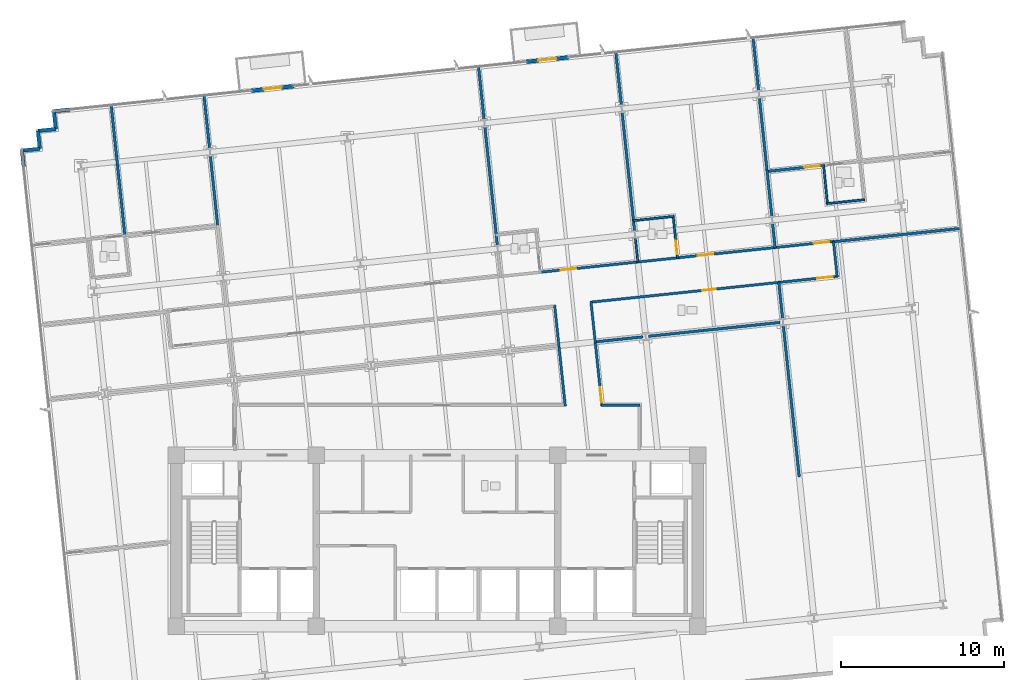
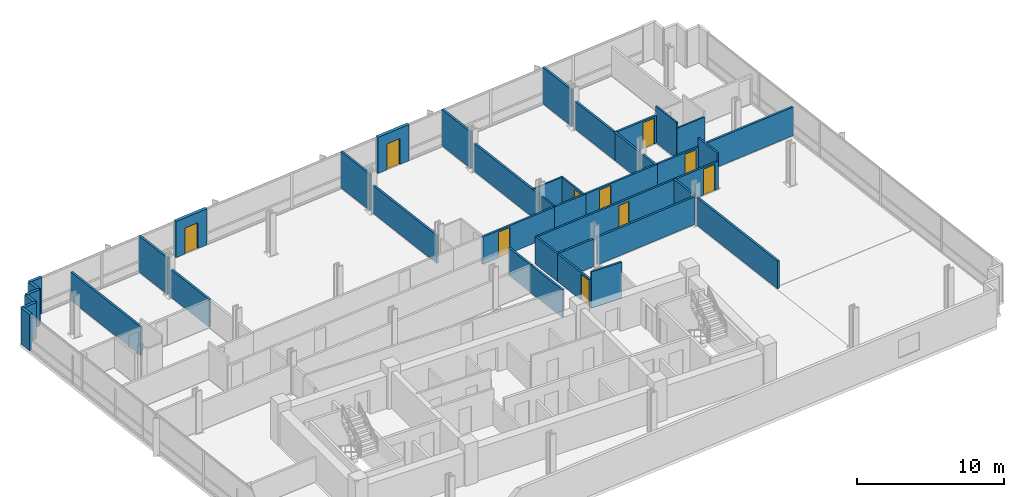
# One storey, part 12 of 18: 42 walls, 10 doors, 10 openings.
"""IFC4 building model written with IfcOpenShell, lengths in metres."""

from ifc_helpers import new_model, si_unit, direction, frame, frame_2d, origin, place, context, subcontext, project, spatial, rectangle, extrude, material, layer, layer_set, type_object, element, fill, save


model = new_model("IFC4")

# Units and contexts
model_context = context("Model", 3, precision=1e-05, world=origin(), true_north=direction((0.0, 1.0)))
body_context = subcontext(model_context, "Body", "Model", "MODEL_VIEW")
ifc_project = project(units=[si_unit("LENGTHUNIT", "METRE"), si_unit("AREAUNIT", "SQUARE_METRE"), si_unit("VOLUMEUNIT", "CUBIC_METRE"), si_unit("PLANEANGLEUNIT", "RADIAN"), si_unit("MASSUNIT", "GRAM", prefix="KILO")], contexts=[model_context])

# Site, building, storey
site_placement = place(None, origin())
site = spatial("IfcSite", under=ifc_project, at=site_placement, CompositionType="ELEMENT")
building_placement = place(site_placement, origin())
building = spatial("IfcBuilding", under=site, at=building_placement, Name="Solmavex Isthmus Hotel", CompositionType="ELEMENT")
storey_placement = place(building_placement, frame((0.0, 0.0, 127.050048828125)))
storey = spatial("IfcBuildingStorey", under=building, at=storey_placement, Name="L34", CompositionType="ELEMENT", Elevation=127.050048828125)

# Wall, opening, door
ifc_material_1 = material(Name="Precast Concrete C40/50", Category="concrete")
ifc_layer_1 = layer(ifc_material_1, 0.25)
ifc_layer_set_1 = layer_set([ifc_layer_1], Name="Precast Concrete C40/50")
wall_type_1 = type_object("IfcWallType", Name="EW-TWR-250", PredefinedType="STANDARD", material=ifc_layer_set_1)
wall_1_placement = place(storey_placement, frame((-11.374267578125, 19.859130859375, 0.0), z_axis=(0.0, 0.0, 1.0), x_axis=(0.994524472508, 0.104503940512, 0.0)))
wall_1 = element("IfcWall", 1, at=wall_1_placement, inside=storey, type_object=wall_type_1, Name="Exterior Balcony Door Wall L34-2", PredefinedType="STANDARD", context=body_context, shape_type="SweptSolid", body=[
    extrude(rectangle(XDim=2.60009765625, YDim=0.239990234375, at=frame_2d((1.300048828125, 0.0))), origin(), (0.0, 0.0, 1.0), 3.0),
])
opening_1_placement = place(wall_1_placement, frame((0.75, 0.0, 0.0)))
opening_1 = element("IfcOpeningElement", 2, at=opening_1_placement, cuts=wall_1, Name="Opening ED-02", PredefinedType="OPENING", context=body_context, shape_type="SweptSolid", body=[
    extrude(rectangle(XDim=1.10009765625, YDim=2.14990234375, at=frame_2d((0.550048828125, 1.074951171875))), frame((0.0, 0.1298828125, 0.0), z_axis=(0.0, -1.0, 0.0), x_axis=(1.0, 0.0, 0.0)), (0.0, 0.0, 1.0), 0.260009765625),
])
ifc_material_2 = material(Name="Aluminium alloy 6063-T6", Category="aluminium")
door_type_1 = type_object("IfcDoorType", Name="EDR-BALC-1100", OperationType="NOTDEFINED", PredefinedType="DOOR", material=ifc_material_2)
door_1_placement = place(opening_1_placement, origin())
door_1 = element("IfcDoor", 3, at=door_1_placement, inside=storey, type_object=door_type_1, Name="Balcony & Terrace Glazed Door L34-2", OperationType="SINGLE_SWING_RIGHT", OverallHeight=2.14990234375, OverallWidth=1.10009765625, PredefinedType="DOOR", context=body_context, shape_type="SweptSolid", body=[
    extrude(rectangle(XDim=1.10009765625, YDim=2.14990234375, at=frame_2d((0.550048828125, 1.074951171875))), frame((0.0, 0.02490234375, 0.0), z_axis=(0.0, -1.0, 0.0), x_axis=(1.0, 0.0, 0.0)), (0.0, 0.0, 1.0), 0.050048828125),
])
fill(opening_1, door_1)

wall_2_placement = place(storey_placement, frame((5.465087890625, 21.629150390625, 0.0), z_axis=(0.0, 0.0, 1.0), x_axis=(0.994523446942, 0.104513699976, 0.0)))
wall_2 = element("IfcWall", 4, at=wall_2_placement, inside=storey, type_object=wall_type_1, Name="Exterior Balcony Door Wall L34-3", PredefinedType="STANDARD", context=body_context, shape_type="SweptSolid", body=[
    extrude(rectangle(XDim=2.599853515625, YDim=0.239990234375, at=frame_2d((1.2998046875, 0.0))), origin(), (0.0, 0.0, 1.0), 3.0),
])
opening_2_placement = place(wall_2_placement, frame((0.75, 0.0, 0.0)))
opening_2 = element("IfcOpeningElement", 5, at=opening_2_placement, cuts=wall_2, Name="Opening ED-02", PredefinedType="OPENING", context=body_context, shape_type="SweptSolid", body=[
    extrude(rectangle(XDim=1.10009765625, YDim=2.14990234375, at=frame_2d((0.550048828125, 1.074951171875))), frame((0.0, 0.1298828125, 0.0), z_axis=(0.0, -1.0, 0.0), x_axis=(1.0, 0.0, 0.0)), (0.0, 0.0, 1.0), 0.260009765625),
])
door_2_placement = place(opening_2_placement, origin())
door_2 = element("IfcDoor", 6, at=door_2_placement, inside=storey, type_object=door_type_1, Name="Balcony & Terrace Glazed Door L34-3", OperationType="SINGLE_SWING_LEFT", OverallHeight=2.14990234375, OverallWidth=1.10009765625, PredefinedType="DOOR", context=body_context, shape_type="SweptSolid", body=[
    extrude(rectangle(XDim=1.10009765625, YDim=2.14990234375, at=frame_2d((0.550048828125, 1.074951171875))), frame((0.0, 0.02490234375, 0.0), z_axis=(0.0, -1.0, 0.0), x_axis=(1.0, 0.0, 0.0)), (0.0, 0.0, 1.0), 0.050048828125),
])
fill(opening_2, door_2)

# Walls
wall_3_placement = place(storey_placement, frame((-25.35400390625, 15.1923828125, 0.0), z_axis=(0.0, 0.0, 1.0), x_axis=(-0.104556418955, 0.99451895671, 0.0)))
element("IfcWall", 7, at=wall_3_placement, inside=storey, type_object=wall_type_1, Name="Serrated Corner Facade Panel L34-07", PredefinedType="STANDARD", context=body_context, shape_type="SweptSolid", body=[
    extrude(rectangle(XDim=0.989990234375, YDim=0.219970703125, at=frame_2d((0.4951171875, 0.0))), origin(), (0.0, 0.0, 1.0), 3.0),
])
wall_4_placement = place(storey_placement, frame((-25.45751953125, 16.177001953125, 0.0), z_axis=(0.0, 0.0, 1.0), x_axis=(0.994521251134, 0.104534592565, 0.0)))
element("IfcWall", 8, at=wall_4_placement, inside=storey, type_object=wall_type_1, Name="Serrated Corner Facade Panel L34-08", PredefinedType="STANDARD", context=body_context, shape_type="SweptSolid", body=[
    extrude(rectangle(XDim=1.10009765625, YDim=0.219970703125, at=frame_2d((0.550048828125, 0.0))), origin(), (0.0, 0.0, 1.0), 3.0),
])
wall_5_placement = place(storey_placement, frame((-24.363525390625, 16.2919921875, 0.0), z_axis=(0.0, 0.0, 1.0), x_axis=(-0.104557671117, 0.994518825066, 0.0)))
element("IfcWall", 9, at=wall_5_placement, inside=storey, type_object=wall_type_1, Name="Serrated Corner Facade Panel L34-09", PredefinedType="STANDARD", context=body_context, shape_type="SweptSolid", body=[
    extrude(rectangle(XDim=1.099853515625, YDim=0.219970703125, at=frame_2d((0.5498046875, 0.0))), origin(), (0.0, 0.0, 1.0), 3.0),
])
for number, where, z_axis, x_axis, name in (
    (10, (-24.478515625, 17.3857421875, 0.0), (0.0, 0.0, 1.0), (0.994521251134, 0.104534592565, 0.0), "Serrated Corner Facade Panel L34-10"),
    (11, (-23.384521484375, 17.500732421875, 0.0), (0.0, 0.0, 1.0), (-0.104534592565, 0.994521251134, 0.0), "Serrated Corner Facade Panel L34-11"),
):
    element("IfcWall", number, at=place(storey_placement, frame(where, z_axis=z_axis, x_axis=x_axis)), inside=storey, type_object=wall_type_1, Name=name, PredefinedType="STANDARD", context=body_context, shape_type="SweptSolid", body=[
        extrude(rectangle(XDim=1.10009765625, YDim=0.219970703125, at=frame_2d((0.550048828125, 0.0))), origin(), (0.0, 0.0, 1.0), 3.0),
    ])
wall_6_placement = place(storey_placement, frame((-23.49951171875, 18.5947265625, 0.0), z_axis=(0.0, 0.0, 1.0), x_axis=(0.99451895671, 0.104556418955, 0.0)))
element("IfcWall", 12, at=wall_6_placement, inside=storey, type_object=wall_type_1, Name="Serrated Corner Facade Panel L34-12", PredefinedType="STANDARD", context=body_context, shape_type="SweptSolid", body=[
    extrude(rectangle(XDim=0.989990234375, YDim=0.219970703125, at=frame_2d((0.4951171875, 0.0))), origin(), (0.0, 0.0, 1.0), 3.0),
])
ifc_material_3 = material(Name="Gypsum plasterboard lining", Category="gypsum")
ifc_layer_2 = layer(ifc_material_3, 0.159912109375)
ifc_layer_set_2 = layer_set([ifc_layer_2], Name="Gypsum plasterboard lining")
wall_type_2 = type_object("IfcWallType", Name="IW-COMP-160", PredefinedType="PARTITIONING", material=ifc_layer_set_2)
wall_7_placement = place(storey_placement, frame((-19.988037109375, 18.994140625, 0.0), z_axis=(0.0, 0.0, 1.0), x_axis=(0.10452341909, -0.99452242552, 0.0)))
element("IfcWall", 13, at=wall_7_placement, inside=storey, type_object=wall_type_2, Name="Interior Partition Wall W-L34-P030", PredefinedType="PARTITIONING", context=body_context, shape_type="SweptSolid", body=[
    extrude(rectangle(XDim=8.112060546875, YDim=0.159912109375, at=frame_2d((4.05615234375, 0.0))), origin(), (0.0, 0.0, 1.0), 2.363037109375),
])
wall_8_placement = place(storey_placement, frame((-14.29541015625, 19.59228515625, 0.0), z_axis=(0.0, 0.0, 1.0), x_axis=(0.10455555946, -0.99451904707, 0.0)))
element("IfcWall", 14, at=wall_8_placement, inside=storey, type_object=wall_type_2, Name="Interior Partition Wall W-L34-P032", PredefinedType="PARTITIONING", context=body_context, shape_type="SweptSolid", body=[
    extrude(rectangle(XDim=3.34375, YDim=0.159912109375, at=frame_2d((1.671875, 0.0))), origin(), (0.0, 0.0, 1.0), 3.0),
])
wall_9_placement = place(storey_placement, frame((-13.908935546875, 15.91650390625, 0.0), z_axis=(0.0, 0.0, 1.0), x_axis=(0.104494833314, -0.994525429444, 0.0)))
element("IfcWall", 15, at=wall_9_placement, inside=storey, type_object=wall_type_2, Name="Interior Partition Wall W-L34-P033", PredefinedType="PARTITIONING", context=body_context, shape_type="SweptSolid", body=[
    extrude(rectangle(XDim=4.415771484375, YDim=0.159912109375, at=frame_2d((2.2080078125, 0.0))), origin(), (0.0, 0.0, 1.0), 2.28955078125),
])
wall_10_placement = place(storey_placement, frame((2.5439453125, 21.3623046875, 0.0), z_axis=(0.0, 0.0, 1.0), x_axis=(0.10455555946, -0.99451904707, 0.0)))
element("IfcWall", 16, at=wall_10_placement, inside=storey, type_object=wall_type_2, Name="Interior Partition Wall W-L34-P034", PredefinedType="PARTITIONING", context=body_context, shape_type="SweptSolid", body=[
    extrude(rectangle(XDim=3.34375, YDim=0.159912109375, at=frame_2d((1.671875, 0.0))), origin(), (0.0, 0.0, 1.0), 3.0),
])
wall_11_placement = place(storey_placement, frame((2.93017578125, 17.686279296875, 0.0), z_axis=(0.0, 0.0, 1.0), x_axis=(0.104555973927, -0.994519003497, 0.0)))
element("IfcWall", 17, at=wall_11_placement, inside=storey, type_object=wall_type_2, Name="Interior Partition Wall W-L34-P035", PredefinedType="PARTITIONING", context=body_context, shape_type="SweptSolid", body=[
    extrude(rectangle(XDim=7.399658203125, YDim=0.159912109375, at=frame_2d((3.69970703125, 0.0))), origin(), (0.0, 0.0, 1.0), 2.28955078125),
])
wall_12_placement = place(storey_placement, frame((10.963623046875, 22.2470703125, 0.0), z_axis=(0.0, 0.0, 1.0), x_axis=(0.10448334315, -0.994526636649, 0.0)))
element("IfcWall", 18, at=wall_12_placement, inside=storey, type_object=wall_type_2, Name="Interior Partition Wall W-L34-P039", PredefinedType="PARTITIONING", context=body_context, shape_type="SweptSolid", body=[
    extrude(rectangle(XDim=3.34375, YDim=0.159912109375, at=frame_2d((1.671875, 0.0))), origin(), (0.0, 0.0, 1.0), 3.0),
])
wall_13_placement = place(storey_placement, frame((11.349853515625, 18.5712890625, 0.0), z_axis=(0.0, 0.0, 1.0), x_axis=(0.104523341075, -0.994522433719, 0.0)))
element("IfcWall", 19, at=wall_13_placement, inside=storey, type_object=wall_type_2, Name="Interior Partition Wall W-L34-P040", PredefinedType="PARTITIONING", context=body_context, shape_type="SweptSolid", body=[
    extrude(rectangle(XDim=7.399658203125, YDim=0.159912109375, at=frame_2d((3.69970703125, 0.0))), origin(), (0.0, 0.0, 1.0), 2.28955078125),
])
wall_14_placement = place(storey_placement, frame((20.2392578125, 14.987060546875, 0.0), z_axis=(0.0, 0.0, 1.0), x_axis=(0.104518588235, -0.994522933226, 0.0)))
element("IfcWall", 20, at=wall_14_placement, inside=storey, type_object=wall_type_2, Name="Interior Partition Wall W-L34-P044", PredefinedType="PARTITIONING", context=body_context, shape_type="SweptSolid", body=[
    extrude(rectangle(XDim=2.90576171875, YDim=0.159912109375, at=frame_2d((1.452880859375, 0.0))), origin(), (0.0, 0.0, 1.0), 2.28955078125),
])
wall_15_placement = place(storey_placement, frame((20.579833984375, 11.74658203125, 0.0), z_axis=(0.0, 0.0, 1.0), x_axis=(0.104578999325, -0.994516582516, 0.0)))
element("IfcWall", 21, at=wall_15_placement, inside=storey, type_object=wall_type_2, Name="Interior Partition Wall W-L34-P045", PredefinedType="PARTITIONING", context=body_context, shape_type="SweptSolid", body=[
    extrude(rectangle(XDim=1.561767578125, YDim=0.159912109375, at=frame_2d((0.78076171875, 0.0))), origin(), (0.0, 0.0, 1.0), 2.28955078125),
])
wall_16_placement = place(storey_placement, frame((19.383056640625, 23.132080078125, 0.0), z_axis=(0.0, 0.0, 1.0), x_axis=(0.10455555946, -0.99451904707, 0.0)))
element("IfcWall", 22, at=wall_16_placement, inside=storey, type_object=wall_type_2, Name="Interior Partition Wall W-L34-P046", PredefinedType="PARTITIONING", context=body_context, shape_type="SweptSolid", body=[
    extrude(rectangle(XDim=3.34375, YDim=0.159912109375, at=frame_2d((1.671875, 0.0))), origin(), (0.0, 0.0, 1.0), 3.0),
])
wall_17_placement = place(storey_placement, frame((19.76953125, 19.456298828125, 0.0), z_axis=(0.0, 0.0, 1.0), x_axis=(0.1045156188, -0.994523245292, 0.0)))
element("IfcWall", 23, at=wall_17_placement, inside=storey, type_object=wall_type_2, Name="Interior Partition Wall W-L34-P047", PredefinedType="PARTITIONING", context=body_context, shape_type="SweptSolid", body=[
    extrude(rectangle(XDim=4.65771484375, YDim=0.159912109375, at=frame_2d((2.328857421875, 0.0))), origin(), (0.0, 0.0, 1.0), 2.28955078125),
])

# Wall, opening, door
wall_18_placement = place(storey_placement, frame((20.2080078125, 14.9013671875, 0.0), z_axis=(0.0, 0.0, 1.0), x_axis=(0.994528326067, 0.104467261141, 0.0)))
wall_18 = element("IfcWall", 24, at=wall_18_placement, inside=storey, type_object=wall_type_2, Name="Interior Partition Wall W-L34-P048", PredefinedType="PARTITIONING", context=body_context, shape_type="SweptSolid", body=[
    extrude(rectangle(XDim=3.56396484375, YDim=0.159912109375, at=frame_2d((1.781982421875, 0.0))), origin(), (0.0, 0.0, 1.0), 2.28955078125),
])
opening_3_placement = place(wall_18_placement, frame((2.331298828125, 0.0, 0.0)))
opening_3 = element("IfcOpeningElement", 25, at=opening_3_placement, cuts=wall_18, Name="Opening ID-C095", PredefinedType="OPENING", context=body_context, shape_type="SweptSolid", body=[
    extrude(rectangle(XDim=0.949951171875, YDim=2.14990234375, at=frame_2d((0.47509765625, 1.074951171875))), frame((0.0, 0.08984375, 0.0), z_axis=(0.0, -1.0, 0.0), x_axis=(1.0, 0.0, 0.0)), (0.0, 0.0, 1.0), 0.179931640625),
])
ifc_material_4 = material(Name="Hardwood timber", Category="wood")
door_type_2 = type_object("IfcDoorType", Name="IDR-FD60-0950", OperationType="NOTDEFINED", PredefinedType="DOOR", material=ifc_material_4)
door_3_placement = place(opening_3_placement, origin())
door_3 = element("IfcDoor", 26, at=door_3_placement, inside=storey, type_object=door_type_2, Name="Ambassador Panorama Suite Master Bedroom Door L34-11", OperationType="SINGLE_SWING_LEFT", OverallHeight=2.14990234375, OverallWidth=0.949951171875, PredefinedType="DOOR", context=body_context, shape_type="SweptSolid", body=[
    extrude(rectangle(XDim=0.949951171875, YDim=2.14990234375, at=frame_2d((0.47509765625, 1.074951171875))), frame((0.0, 0.02490234375, 0.0), z_axis=(0.0, -1.0, 0.0), x_axis=(1.0, 0.0, 0.0)), (0.0, 0.0, 1.0), 0.050048828125),
])
fill(opening_3, door_3)

# Walls
wall_19_placement = place(storey_placement, frame((32.166015625, 11.4140625, 0.0), z_axis=(0.0, 0.0, 1.0), x_axis=(-0.994522987852, -0.104518068455, 0.0)))
element("IfcWall", 27, at=wall_19_placement, inside=storey, type_object=wall_type_2, Name="Interior Partition Wall W-L34-P053", PredefinedType="PARTITIONING", context=body_context, shape_type="SweptSolid", body=[
    extrude(rectangle(XDim=7.927978515625, YDim=0.159912109375, at=frame_2d((3.9638671875, 0.0))), origin(), (0.0, 0.0, 1.0), 2.363037109375),
])
wall_20_placement = place(storey_placement, frame((20.95947265625, 8.134765625, 0.0), z_axis=(0.0, 0.0, 1.0), x_axis=(0.104558463094, -0.994518741802, 0.0)))
element("IfcWall", 28, at=wall_20_placement, inside=storey, type_object=wall_type_2, Name="Interior Partition Wall W-L34-P056", PredefinedType="PARTITIONING", context=body_context, shape_type="SweptSolid", body=[
    extrude(rectangle(XDim=2.31396484375, YDim=0.159912109375, at=frame_2d((1.156982421875, 0.0))), origin(), (0.0, 0.0, 1.0), 2.28955078125),
])
wall_21_placement = place(storey_placement, frame((12.625, 4.755126953125, 0.0), z_axis=(0.0, 0.0, 1.0), x_axis=(-0.994518476722, -0.1045609844, 0.0)))
element("IfcWall", 29, at=wall_21_placement, inside=storey, type_object=wall_type_2, Name="Interior Partition Wall W-L34-P057", PredefinedType="PARTITIONING", context=body_context, shape_type="SweptSolid", body=[
    extrude(rectangle(XDim=2.97705078125, YDim=0.159912109375, at=frame_2d((1.488525390625, 0.0))), origin(), (0.0, 0.0, 1.0), 2.28955078125),
])
wall_22_placement = place(storey_placement, frame((21.04443359375, 5.639892578125, 0.0), z_axis=(0.0, 0.0, 1.0), x_axis=(-0.994521269983, -0.104534413238, 0.0)))
element("IfcWall", 30, at=wall_22_placement, inside=storey, type_object=wall_type_2, Name="Interior Partition Wall W-L34-P058", PredefinedType="PARTITIONING", context=body_context, shape_type="SweptSolid", body=[
    extrude(rectangle(XDim=8.113525390625, YDim=0.159912109375, at=frame_2d((4.056640625, 0.0))), origin(), (0.0, 0.0, 1.0), 2.28955078125),
])
wall_23_placement = place(storey_placement, frame((22.217041015625, -3.829345703125, 0.0), z_axis=(0.0, 0.0, 1.0), x_axis=(-0.104551776778, 0.994519444743, 0.0)))
element("IfcWall", 31, at=wall_23_placement, inside=storey, type_object=wall_type_2, Name="Interior Partition Wall W-L34-P067", PredefinedType="PARTITIONING", context=body_context, shape_type="SweptSolid", body=[
    extrude(rectangle(XDim=9.36376953125, YDim=0.159912109375, at=frame_2d((4.681884765625, 0.0))), origin(), (0.0, 0.0, 1.0), 2.28955078125),
])

# Wall, opening, door
ifc_layer_3 = layer(ifc_material_3, 0.14990234375)
ifc_layer_set_3 = layer_set([ifc_layer_3], Name="Gypsum plasterboard lining")
wall_type_3 = type_object("IfcWallType", Name="IW-CORR-150", PredefinedType="PARTITIONING", material=ifc_layer_set_3)
wall_24_placement = place(storey_placement, frame((6.254638671875, 8.7109375, 0.0), z_axis=(0.0, 0.0, 1.0), x_axis=(0.994525997724, 0.104489424587, 0.0)))
wall_24 = element("IfcWall", 32, at=wall_24_placement, inside=storey, type_object=wall_type_3, Name="Interior Partition Wall W-L34-P003", PredefinedType="PARTITIONING", context=body_context, shape_type="SweptSolid", body=[
    extrude(rectangle(XDim=6.18017578125, YDim=0.14990234375, at=frame_2d((3.090087890625, 0.0))), origin(), (0.0, 0.0, 1.0), 2.28955078125),
])
opening_4_placement = place(wall_24_placement, frame((1.333984375, 0.0, 0.0)))
opening_4 = element("IfcOpeningElement", 33, at=opening_4_placement, cuts=wall_24, Name="Opening ID-C095", PredefinedType="OPENING", context=body_context, shape_type="SweptSolid", body=[
    extrude(rectangle(XDim=0.949951171875, YDim=2.14990234375, at=frame_2d((0.47509765625, 1.074951171875))), frame((0.0, 0.0849609375, 0.0), z_axis=(0.0, -1.0, 0.0), x_axis=(1.0, 0.0, 0.0)), (0.0, 0.0, 1.0), 0.169921875),
])
door_4_placement = place(opening_4_placement, frame((0.949951171875, 0.0, 0.0), z_axis=(0.0, 0.0, 1.0), x_axis=(-1.0, 0.0, 0.0)))
door_4 = element("IfcDoor", 34, at=door_4_placement, inside=storey, type_object=door_type_2, Name="Diplomatic Suite Door L34-06", OperationType="SINGLE_SWING_RIGHT", OverallHeight=2.14990234375, OverallWidth=0.949951171875, PredefinedType="DOOR", context=body_context, shape_type="SweptSolid", body=[
    extrude(rectangle(XDim=0.949951171875, YDim=2.14990234375, at=frame_2d((0.47509765625, 1.074951171875))), frame((0.0, 0.02490234375, 0.0), z_axis=(0.0, -1.0, 0.0), x_axis=(1.0, 0.0, 0.0)), (0.0, 0.0, 1.0), 0.050048828125),
])
fill(opening_4, door_4)

wall_25_placement = place(storey_placement, frame((14.67431640625, 9.595703125, 0.0), z_axis=(0.0, 0.0, 1.0), x_axis=(0.994521891766, 0.104528497542, 0.0)))
wall_25 = element("IfcWall", 35, at=wall_25_placement, inside=storey, type_object=wall_type_3, Name="Interior Partition Wall W-L34-P005", PredefinedType="PARTITIONING", context=body_context, shape_type="SweptSolid", body=[
    extrude(rectangle(XDim=6.18017578125, YDim=0.14990234375, at=frame_2d((3.090087890625, 0.0))), origin(), (0.0, 0.0, 1.0), 2.28955078125),
])
opening_5_placement = place(wall_25_placement, frame((1.333984375, 0.0, 0.0)))
opening_5 = element("IfcOpeningElement", 36, at=opening_5_placement, cuts=wall_25, Name="Opening ID-C095", PredefinedType="OPENING", context=body_context, shape_type="SweptSolid", body=[
    extrude(rectangle(XDim=0.949951171875, YDim=2.14990234375, at=frame_2d((0.47509765625, 1.074951171875))), frame((0.0, 0.0849609375, 0.0), z_axis=(0.0, -1.0, 0.0), x_axis=(1.0, 0.0, 0.0)), (0.0, 0.0, 1.0), 0.169921875),
])
door_5_placement = place(opening_5_placement, frame((0.949951171875, 0.0, 0.0), z_axis=(0.0, 0.0, 1.0), x_axis=(-1.0, 0.0, 0.0)))
door_5 = element("IfcDoor", 37, at=door_5_placement, inside=storey, type_object=door_type_2, Name="Junior Suite Door L34-08", OperationType="SINGLE_SWING_RIGHT", OverallHeight=2.14990234375, OverallWidth=0.949951171875, PredefinedType="DOOR", context=body_context, shape_type="SweptSolid", body=[
    extrude(rectangle(XDim=0.949951171875, YDim=2.14990234375, at=frame_2d((0.47509765625, 1.074951171875))), frame((0.0, 0.02490234375, 0.0), z_axis=(0.0, -1.0, 0.0), x_axis=(1.0, 0.0, 0.0)), (0.0, 0.0, 1.0), 0.050048828125),
])
fill(opening_5, door_5)

# Wall
wall_26_placement = place(storey_placement, frame((12.23779296875, 9.339599609375, 0.0), z_axis=(0.0, 0.0, 1.0), x_axis=(0.994523350694, 0.104514615837, 0.0)))
element("IfcWall", 38, at=wall_26_placement, inside=storey, type_object=wall_type_3, Name="Interior Partition Wall W-L34-P006", PredefinedType="PARTITIONING", context=body_context, shape_type="SweptSolid", body=[
    extrude(rectangle(XDim=2.614013671875, YDim=0.14990234375, at=frame_2d((1.30712890625, 0.0))), origin(), (0.0, 0.0, 1.0), 2.28955078125),
])

# Wall, opening, door
wall_27_placement = place(storey_placement, frame((20.657470703125, 10.224609375, 0.0), z_axis=(0.0, 0.0, 1.0), x_axis=(0.994518385036, 0.104561856457, 0.0)))
wall_27 = element("IfcWall", 39, at=wall_27_placement, inside=storey, type_object=wall_type_3, Name="Interior Partition Wall W-L34-P007", PredefinedType="PARTITIONING", context=body_context, shape_type="SweptSolid", body=[
    extrude(rectangle(XDim=3.721923828125, YDim=0.14990234375, at=frame_2d((1.86083984375, 0.0))), origin(), (0.0, 0.0, 1.0), 2.28955078125),
])
opening_6_placement = place(wall_27_placement, frame((2.456787109375, 0.0, 0.0)))
opening_6 = element("IfcOpeningElement", 40, at=opening_6_placement, cuts=wall_27, Name="Opening ID-C095", PredefinedType="OPENING", context=body_context, shape_type="SweptSolid", body=[
    extrude(rectangle(XDim=0.949951171875, YDim=2.14990234375, at=frame_2d((0.47509765625, 1.074951171875))), frame((0.0, 0.0849609375, 0.0), z_axis=(0.0, -1.0, 0.0), x_axis=(1.0, 0.0, 0.0)), (0.0, 0.0, 1.0), 0.169921875),
])
door_6_placement = place(opening_6_placement, frame((0.949951171875, 0.0, 0.0), z_axis=(0.0, 0.0, 1.0), x_axis=(-1.0, 0.0, 0.0)))
door_6 = element("IfcDoor", 41, at=door_6_placement, inside=storey, type_object=door_type_2, Name="Ambassador Panorama Suite Living Salon Door L34-10", OperationType="SINGLE_SWING_RIGHT", OverallHeight=2.14990234375, OverallWidth=0.949951171875, PredefinedType="DOOR", context=body_context, shape_type="SweptSolid", body=[
    extrude(rectangle(XDim=0.949951171875, YDim=2.14990234375, at=frame_2d((0.47509765625, 1.074951171875))), frame((0.0, 0.02490234375, 0.0), z_axis=(0.0, -1.0, 0.0), x_axis=(1.0, 0.0, 0.0)), (0.0, 0.0, 1.0), 0.050048828125),
])
fill(opening_6, door_6)

wall_28_placement = place(storey_placement, frame((21.045166015625, 8.103515625, 0.0), z_axis=(0.0, 0.0, 1.0), x_axis=(-0.994521447183, -0.104532727376, 0.0)))
wall_28 = element("IfcWall", 42, at=wall_28_placement, inside=storey, type_object=wall_type_3, Name="Interior Partition Wall W-L34-P008", PredefinedType="PARTITIONING", context=body_context, shape_type="SweptSolid", body=[
    extrude(rectangle(XDim=11.701171875, YDim=0.14990234375, at=frame_2d((5.8505859375, 0.0))), origin(), (0.0, 0.0, 1.0), 2.28955078125),
])
opening_7_placement = place(wall_28_placement, frame((3.961181640625, 0.0, 0.0)))
opening_7 = element("IfcOpeningElement", 43, at=opening_7_placement, cuts=wall_28, Name="Opening ID-R085", PredefinedType="OPENING", context=body_context, shape_type="SweptSolid", body=[
    extrude(rectangle(XDim=0.85009765625, YDim=2.050048828125, at=frame_2d((0.425048828125, 1.02490234375))), frame((0.0, 0.0849609375, 0.0), z_axis=(0.0, -1.0, 0.0), x_axis=(1.0, 0.0, 0.0)), (0.0, 0.0, 1.0), 0.169921875),
])
ifc_material_5 = material(Name="Steel ASTM A500 Grade C", Category="steel")
door_type_3 = type_object("IfcDoorType", Name="IDR-FD60-0850", OperationType="NOTDEFINED", PredefinedType="DOOR", material=ifc_material_5)
door_7_placement = place(opening_7_placement, frame((0.85009765625, 0.0, 0.0), z_axis=(0.0, 0.0, 1.0), x_axis=(-1.0, 0.0, 0.0)))
door_7 = element("IfcDoor", 44, at=door_7_placement, inside=storey, type_object=door_type_3, Name="Public Restroom WC Door L34-14", OperationType="SINGLE_SWING_RIGHT", OverallHeight=2.050048828125, OverallWidth=0.85009765625, PredefinedType="DOOR", context=body_context, shape_type="SweptSolid", body=[
    extrude(rectangle(XDim=0.85009765625, YDim=2.050048828125, at=frame_2d((0.425048828125, 1.02490234375))), frame((0.0, 0.02490234375, 0.0), z_axis=(0.0, -1.0, 0.0), x_axis=(1.0, 0.0, 0.0)), (0.0, 0.0, 1.0), 0.050048828125),
])
fill(opening_7, door_7)

# Walls
for number, where, z_axis, x_axis, name in (
    (45, (9.44384765625, 6.92431640625, 0.0), (0.0, 0.0, 1.0), (0.104511838358, -0.994523642576, 0.0), "Interior Partition Wall W-L34-P009"),
    (46, (7.485107421875, 4.13232421875, 0.0), (0.0, 0.0, 1.0), (-0.104605724594, 0.994513771841, 0.0), "Interior Partition Wall W-L34-P012"),
):
    element("IfcWall", number, at=place(storey_placement, frame(where, z_axis=z_axis, x_axis=x_axis)), inside=storey, type_object=wall_type_3, Name=name, PredefinedType="PARTITIONING", context=body_context, shape_type="SweptSolid", body=[
        extrude(rectangle(XDim=2.572021484375, YDim=0.14990234375, at=frame_2d((1.2861328125, 0.0))), origin(), (0.0, 0.0, 1.0), 2.28955078125),
    ])
wall_29_placement = place(storey_placement, frame((7.86572265625, 0.51025390625, 0.0), z_axis=(0.0, 0.0, 1.0), x_axis=(-0.104557897706, 0.994518801244, 0.0)))
element("IfcWall", 47, at=wall_29_placement, inside=storey, type_object=wall_type_3, Name="Interior Partition Wall W-L34-P015", PredefinedType="PARTITIONING", context=body_context, shape_type="SweptSolid", body=[
    extrude(rectangle(XDim=3.805908203125, YDim=0.14990234375, at=frame_2d((1.90283203125, 0.0))), origin(), (0.0, 0.0, 1.0), 2.28955078125),
])
wall_30_placement = place(storey_placement, frame((24.317138671875, 10.62939453125, 0.0), z_axis=(0.0, 0.0, 1.0), x_axis=(0.104500773718, -0.994524805267, 0.0)))
element("IfcWall", 48, at=wall_30_placement, inside=storey, type_object=wall_type_3, Name="Interior Partition Wall W-L34-P017", PredefinedType="PARTITIONING", context=body_context, shape_type="SweptSolid", body=[
    extrude(rectangle(XDim=2.210205078125, YDim=0.14990234375, at=frame_2d((1.10498046875, 0.0))), origin(), (0.0, 0.0, 1.0), 3.0),
])

# Wall, opening, door
wall_31_placement = place(storey_placement, frame((24.583740234375, 8.475341796875, 0.0), z_axis=(0.0, 0.0, 1.0), x_axis=(-0.994525920558, -0.104490159046, 0.0)))
wall_31 = element("IfcWall", 49, at=wall_31_placement, inside=storey, type_object=wall_type_3, Name="Interior Partition Wall W-L34-P018", PredefinedType="PARTITIONING", context=body_context, shape_type="SweptSolid", body=[
    extrude(rectangle(XDim=3.721923828125, YDim=0.14990234375, at=frame_2d((1.86083984375, 0.0))), origin(), (0.0, 0.0, 1.0), 2.28955078125),
])
opening_8_placement = place(wall_31_placement, frame((0.315185546875, 0.0, 0.0)))
opening_8 = element("IfcOpeningElement", 50, at=opening_8_placement, cuts=wall_31, Name="Opening ID-C095", PredefinedType="OPENING", context=body_context, shape_type="SweptSolid", body=[
    extrude(rectangle(XDim=0.949951171875, YDim=2.14990234375, at=frame_2d((0.47509765625, 1.074951171875))), frame((0.0, 0.0849609375, 0.0), z_axis=(0.0, -1.0, 0.0), x_axis=(1.0, 0.0, 0.0)), (0.0, 0.0, 1.0), 0.169921875),
])
door_8_placement = place(opening_8_placement, frame((0.949951171875, 0.0, 0.0), z_axis=(0.0, 0.0, 1.0), x_axis=(-1.0, 0.0, 0.0)))
door_8 = element("IfcDoor", 51, at=door_8_placement, inside=storey, type_object=door_type_2, Name="Corporate Briefing Office Door L34-20", OperationType="SINGLE_SWING_RIGHT", OverallHeight=2.14990234375, OverallWidth=0.949951171875, PredefinedType="DOOR", context=body_context, shape_type="SweptSolid", body=[
    extrude(rectangle(XDim=0.949951171875, YDim=2.14990234375, at=frame_2d((0.47509765625, 1.074951171875))), frame((0.0, 0.02490234375, 0.0), z_axis=(0.0, -1.0, 0.0), x_axis=(1.0, 0.0, 0.0)), (0.0, 0.0, 1.0), 0.050048828125),
])
fill(opening_8, door_8)

wall_32_placement = place(storey_placement, frame((9.695556640625, 4.529541015625, 0.0), z_axis=(0.0, 0.0, 1.0), x_axis=(0.104568433906, -0.994517693473, 0.0)))
wall_32 = element("IfcWall", 52, at=wall_32_placement, inside=storey, type_object=wall_type_3, Name="Interior Partition Wall W-L34-P019", PredefinedType="PARTITIONING", context=body_context, shape_type="SweptSolid", body=[
    extrude(rectangle(XDim=4.04150390625, YDim=0.14990234375, at=frame_2d((2.020751953125, 0.0))), origin(), (0.0, 0.0, 1.0), 2.28955078125),
])
opening_9_placement = place(wall_32_placement, frame((2.876708984375, 0.0, 0.0)))
opening_9 = element("IfcOpeningElement", 53, at=opening_9_placement, cuts=wall_32, Name="Opening ID-C095", PredefinedType="OPENING", context=body_context, shape_type="SweptSolid", body=[
    extrude(rectangle(XDim=0.949951171875, YDim=2.14990234375, at=frame_2d((0.47509765625, 1.074951171875))), frame((0.0, 0.0849609375, 0.0), z_axis=(0.0, -1.0, 0.0), x_axis=(1.0, 0.0, 0.0)), (0.0, 0.0, 1.0), 0.169921875),
])
door_9_placement = place(opening_9_placement, frame((0.949951171875, 0.0, 0.0), z_axis=(0.0, 0.0, 1.0), x_axis=(-1.0, 0.0, 0.0)))
door_9 = element("IfcDoor", 54, at=door_9_placement, inside=storey, type_object=door_type_2, Name="Executive Boardroom Door L34-21", OperationType="SINGLE_SWING_LEFT", OverallHeight=2.14990234375, OverallWidth=0.949951171875, PredefinedType="DOOR", context=body_context, shape_type="SweptSolid", body=[
    extrude(rectangle(XDim=0.949951171875, YDim=2.14990234375, at=frame_2d((0.47509765625, 1.074951171875))), frame((0.0, 0.02490234375, 0.0), z_axis=(0.0, -1.0, 0.0), x_axis=(1.0, 0.0, 0.0)), (0.0, 0.0, 1.0), 0.050048828125),
])
fill(opening_9, door_9)

# Walls
wall_33_placement = place(storey_placement, frame((10.073974609375, 0.550048828125, 0.0), z_axis=(0.0, 0.0, 1.0), x_axis=(1.0, 0.0, 0.0)))
element("IfcWall", 55, at=wall_33_placement, inside=storey, type_object=wall_type_3, Name="Interior Partition Wall W-L34-P020", PredefinedType="PARTITIONING", context=body_context, shape_type="SweptSolid", body=[
    extrude(rectangle(XDim=2.365966796875, YDim=0.14990234375, at=frame_2d((1.18310546875, 0.0))), origin(), (0.0, 0.0, 1.0), 3.0),
])
ifc_layer_4 = layer(ifc_material_3, 0.1201171875)
ifc_layer_set_4 = layer_set([ifc_layer_4], Name="Gypsum plasterboard lining")
wall_type_4 = type_object("IfcWallType", Name="IW-PART-120", PredefinedType="PARTITIONING", material=ifc_layer_set_4)
wall_34_placement = place(storey_placement, frame((12.16015625, 10.86181640625, 0.0), z_axis=(0.0, 0.0, 1.0), x_axis=(0.104562743548, -0.994518291768, 0.0)))
element("IfcWall", 56, at=wall_34_placement, inside=storey, type_object=wall_type_4, Name="Interior Partition Wall W-L34-P041", PredefinedType="PARTITIONING", context=body_context, shape_type="SweptSolid", body=[
    extrude(rectangle(XDim=1.56201171875, YDim=0.1201171875, at=frame_2d((0.781005859375, 0.0))), origin(), (0.0, 0.0, 1.0), 2.28955078125),
])

# Wall, opening, door
wall_35_placement = place(storey_placement, frame((14.760009765625, 9.564453125, 0.0), z_axis=(0.0, 0.0, 1.0), x_axis=(-0.104520496269, 0.994522732701, 0.0)))
wall_35 = element("IfcWall", 57, at=wall_35_placement, inside=storey, type_object=wall_type_4, Name="Interior Partition Wall W-L34-P042", PredefinedType="PARTITIONING", context=body_context, shape_type="SweptSolid", body=[
    extrude(rectangle(XDim=2.630126953125, YDim=0.1201171875, at=frame_2d((1.31494140625, 0.0))), origin(), (0.0, 0.0, 1.0), 2.28955078125),
])
opening_10_placement = place(wall_35_placement, frame((0.247314453125, 0.0, 0.0)))
opening_10 = element("IfcOpeningElement", 58, at=opening_10_placement, cuts=wall_35, Name="Opening ID-U085", PredefinedType="OPENING", context=body_context, shape_type="SweptSolid", body=[
    extrude(rectangle(XDim=0.85009765625, YDim=2.10009765625, at=frame_2d((0.425048828125, 1.050048828125))), frame((0.0, 0.070068359375, 0.0), z_axis=(0.0, -1.0, 0.0), x_axis=(1.0, 0.0, 0.0)), (0.0, 0.0, 1.0), 0.14013671875),
])
door_type_4 = type_object("IfcDoorType", Name="IDR-UNR-0850", OperationType="NOTDEFINED", PredefinedType="DOOR", material=ifc_material_4)
door_10_placement = place(opening_10_placement, frame((0.85009765625, 0.0, 0.0), z_axis=(0.0, 0.0, 1.0), x_axis=(-1.0, 0.0, 0.0)))
door_10 = element("IfcDoor", 59, at=door_10_placement, inside=storey, type_object=door_type_4, Name="En-suite Bathroom Door L34-09", OperationType="SINGLE_SWING_LEFT", OverallHeight=2.10009765625, OverallWidth=0.85009765625, PredefinedType="DOOR", context=body_context, shape_type="SweptSolid", body=[
    extrude(rectangle(XDim=0.85009765625, YDim=2.10009765625, at=frame_2d((0.425048828125, 1.050048828125))), frame((0.0, 0.02490234375, 0.0), z_axis=(0.0, -1.0, 0.0), x_axis=(1.0, 0.0, 0.0)), (0.0, 0.0, 1.0), 0.050048828125),
])
fill(opening_10, door_10)

# Walls
wall_36_placement = place(storey_placement, frame((14.529052734375, 12.14453125, 0.0), z_axis=(0.0, 0.0, 1.0), x_axis=(-0.994523944136, -0.104508968707, 0.0)))
element("IfcWall", 60, at=wall_36_placement, inside=storey, type_object=wall_type_4, Name="Interior Partition Wall W-L34-P043", PredefinedType="PARTITIONING", context=body_context, shape_type="SweptSolid", body=[
    extrude(rectangle(XDim=2.530029296875, YDim=0.1201171875, at=frame_2d((1.26513671875, 0.0))), origin(), (0.0, 0.0, 1.0), 2.28955078125),
])
wall_37_placement = place(storey_placement, frame((23.708740234375, 15.309326171875, 0.0), z_axis=(0.0, 0.0, 1.0), x_axis=(0.100269653479, -0.994960299003, 0.0)))
element("IfcWall", 61, at=wall_37_placement, inside=storey, type_object=wall_type_4, Name="Interior Partition Wall W-L34-P050", PredefinedType="PARTITIONING", context=body_context, shape_type="SweptSolid", body=[
    extrude(rectangle(XDim=2.429931640625, YDim=0.1201171875, at=frame_2d((1.21484375, 0.0))), origin(), (0.0, 0.0, 1.0), 3.0),
])
wall_38_placement = place(storey_placement, frame((23.90869140625, 12.92724609375, 0.0), z_axis=(0.0, 0.0, 1.0), x_axis=(0.994516930255, 0.104575692382, 0.0)))
element("IfcWall", 62, at=wall_38_placement, inside=storey, type_object=wall_type_4, Name="Interior Partition Wall W-L34-P051", PredefinedType="PARTITIONING", context=body_context, shape_type="SweptSolid", body=[
    extrude(rectangle(XDim=2.329833984375, YDim=0.1201171875, at=frame_2d((1.1650390625, 0.0))), origin(), (0.0, 0.0, 1.0), 2.528076171875),
])

save(model, "model.ifc")
